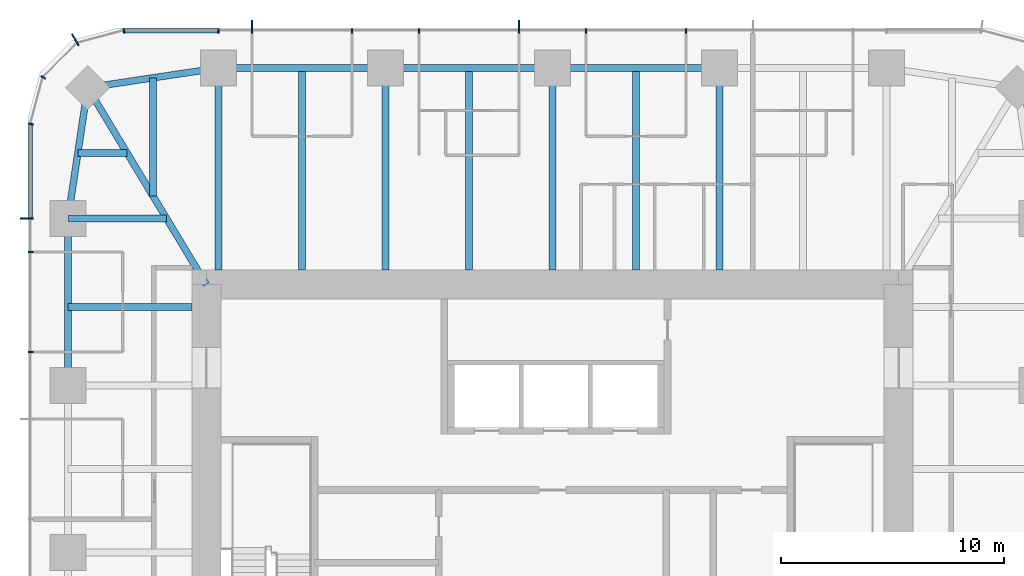
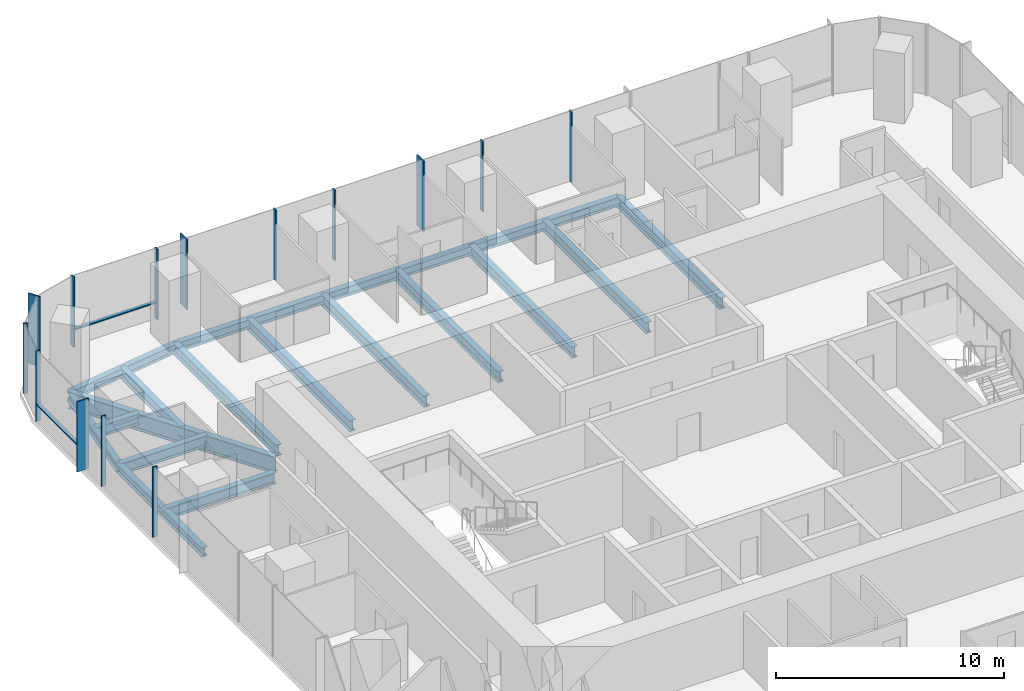
# One storey, part 5 of 12: 18 beams, 16 members, 3 elements without a shape of their own.
"""IFC4 building model written with IfcOpenShell, lengths in metres."""

from ifc_helpers import new_model, si_unit, direction, frame, origin, origin_2d, place, context, subcontext, project, spatial, rectangle, i_section, extrude, material, material_profile, profile_set, type_object, element, aggregate, save


model = new_model("IFC4")

# Units and contexts
model_context = context("Model", 3, precision=1e-05, world=origin(), true_north=direction((0.0, 1.0)))
body_context = subcontext(model_context, "Body", "Model", "MODEL_VIEW")
ifc_project = project(units=[si_unit("LENGTHUNIT", "METRE"), si_unit("AREAUNIT", "SQUARE_METRE"), si_unit("VOLUMEUNIT", "CUBIC_METRE"), si_unit("PLANEANGLEUNIT", "RADIAN"), si_unit("MASSUNIT", "GRAM", prefix="KILO")], contexts=[model_context])

# Site, building, storey
site_placement = place(None, origin())
site = spatial("IfcSite", under=ifc_project, at=site_placement, CompositionType="ELEMENT")
building_placement = place(site_placement, origin())
building = spatial("IfcBuilding", under=site, at=building_placement, Name="Khuree Lantern Residences", CompositionType="ELEMENT")
storey_placement = place(building_placement, frame((0.0, 0.0, 315.75)))
storey = spatial("IfcBuildingStorey", under=building, at=storey_placement, Name="L79", CompositionType="ELEMENT", Elevation=315.75)

# Beams
ifc_material_1 = material(Name="Steel S355", Category="steel")
ifc_material_profile_1 = material_profile(ifc_material_1, i_section(OverallWidth=0.300048828125, OverallDepth=0.590087890625, WebThickness=0.012939453125, FlangeThickness=0.02490234375, FilletRadius=0.027099609375, at=origin_2d()), Name="HE 600 A")
ifc_profile_set_1 = profile_set([ifc_material_profile_1], Name="Steel S355")
beam_type_1 = type_object("IfcBeamType", Name="B-43 SECONDARY BEAM HE 600 A", PredefinedType="BEAM", material=ifc_profile_set_1)
for number, where, z_axis, x_axis, name in (
    (1, (-11.219970703125, 21.699951171875, -0.544921875), (0.0, -1.0, 0.0), (1.0, 0.0, 0.0), "Secondary beam N1"),
    (2, (-3.739990234375, 21.699951171875, -0.544921875), (0.0, -1.0, 0.0), (1.0, 0.0, 0.0), "Secondary beam N2"),
    (3, (3.739990234375, 21.699951171875, -0.544921875), (0.0, -1.0, 0.0), (1.0, 0.0, 0.0), "Secondary beam N3"),
):
    element("IfcBeam", number, at=place(storey_placement, frame(where, z_axis=z_axis, x_axis=x_axis)), inside=storey, type_object=beam_type_1, Name=name, PredefinedType="BEAM", context=body_context, shape_type="SweptSolid", body=[
        extrude(i_section(OverallWidth=0.300048828125, OverallDepth=0.590087890625, WebThickness=0.012939453125, FlangeThickness=0.02490234375, FilletRadius=0.027099609375, at=origin_2d()), origin(), (0.0, 0.0, 1.0), 9.050048828125),
    ])
beam_1_placement = place(storey_placement, frame((-21.699951171875, 11.0, -0.544921875), z_axis=(1.0, 0.0, 0.0), x_axis=(0.0, 1.0, 0.0)))
element("IfcBeam", 4, at=beam_1_placement, inside=storey, type_object=beam_type_1, Name="Secondary beam W5", PredefinedType="BEAM", context=body_context, shape_type="SweptSolid", body=[
    extrude(i_section(OverallWidth=0.300048828125, OverallDepth=0.590087890625, WebThickness=0.012939453125, FlangeThickness=0.02490234375, FilletRadius=0.027099609375, at=origin_2d()), origin(), (0.0, 0.0, 1.0), 5.550048828125),
])
beam_2_placement = place(storey_placement, frame((-21.2607421875, 17.890625, -0.544921875), z_axis=(1.0, 0.0, 0.0), x_axis=(0.0, 1.0, 0.0)))
element("IfcBeam", 5, at=beam_2_placement, inside=storey, type_object=beam_type_1, Name="Secondary beam W6", PredefinedType="BEAM", context=body_context, shape_type="SweptSolid", body=[
    extrude(i_section(OverallWidth=0.300048828125, OverallDepth=0.590087890625, WebThickness=0.012939453125, FlangeThickness=0.02490234375, FilletRadius=0.027099609375, at=origin_2d()), origin(), (0.0, 0.0, 1.0), 2.207275390625),
])
beam_3_placement = place(storey_placement, frame((-17.890625, 21.2607421875, -0.544921875), z_axis=(0.0, -1.0, 0.0), x_axis=(1.0, 0.0, 0.0)))
element("IfcBeam", 6, at=beam_3_placement, inside=storey, type_object=beam_type_1, Name="Secondary beam N6", PredefinedType="BEAM", context=body_context, shape_type="SweptSolid", body=[
    extrude(i_section(OverallWidth=0.300048828125, OverallDepth=0.590087890625, WebThickness=0.012939453125, FlangeThickness=0.02490234375, FilletRadius=0.027099609375, at=origin_2d()), origin(), (0.0, 0.0, 1.0), 5.297607421875),
])
ifc_material_profile_2 = material_profile(ifc_material_1, i_section(OverallWidth=0.300048828125, OverallDepth=0.489990234375, WebThickness=0.011962890625, FlangeThickness=0.02294921875, FilletRadius=0.027099609375, at=origin_2d()), Name="HE 500 A")
ifc_profile_set_2 = profile_set([ifc_material_profile_2], Name="Steel S355")
beam_type_2 = type_object("IfcBeamType", Name="E-43 SPANDREL BEAM HE 500 A", PredefinedType="SPANDREL", material=ifc_profile_set_2)
for number, where, z_axis, x_axis, name in (
    (7, (-14.9599609375, 21.699951171875, -0.4951171875), (1.0, 0.0, 0.0), (0.0, 1.0, 0.0), "Spandrel beam N1"),
    (8, (-7.47998046875, 21.699951171875, -0.4951171875), (1.0, 0.0, 0.0), (0.0, 1.0, 0.0), "Spandrel beam N2"),
    (9, (0.0, 21.699951171875, -0.4951171875), (1.0, 0.0, 0.0), (0.0, 1.0, 0.0), "Spandrel beam N3"),
    (10, (-21.699951171875, 7.47998046875, -0.4951171875), (0.0, 1.0, 0.0), (-1.0, 0.0, 0.0), "Spandrel beam W5"),
):
    element("IfcBeam", number, at=place(storey_placement, frame(where, z_axis=z_axis, x_axis=x_axis)), inside=storey, type_object=beam_type_2, Name=name, PredefinedType="SPANDREL", context=body_context, shape_type="SweptSolid", body=[
        extrude(i_section(OverallWidth=0.300048828125, OverallDepth=0.489990234375, WebThickness=0.011962890625, FlangeThickness=0.02294921875, FilletRadius=0.027099609375, at=origin_2d()), origin(), (0.0, 0.0, 1.0), 7.47998046875),
    ])
for number, where, z_axis, x_axis, name in (
    (11, (-21.699951171875, 14.9599609375, -0.4951171875), (0.148251822985, 0.988949643299, 0.0), (-0.988949643299, 0.148251822985, 0.0), "Spandrel beam W6"),
    (12, (-20.8212890625, 20.8212890625, -0.4951171875), (0.988949643299, 0.148251822985, 0.0), (-0.148251822985, 0.988949643299, 0.0), "Spandrel beam N6"),
):
    element("IfcBeam", number, at=place(storey_placement, frame(where, z_axis=z_axis, x_axis=x_axis)), inside=storey, type_object=beam_type_2, Name=name, PredefinedType="SPANDREL", context=body_context, shape_type="SweptSolid", body=[
        extrude(i_section(OverallWidth=0.300048828125, OverallDepth=0.489990234375, WebThickness=0.011962890625, FlangeThickness=0.02294921875, FilletRadius=0.027099609375, at=origin_2d()), origin(), (0.0, 0.0, 1.0), 5.9267578125),
    ])

# Curtain wall, members
ifc_material_2 = material(Name="Bronze anodised aluminium", Category="aluminium")
curtain_wall_type_1 = type_object("IfcCurtainWallType", Name="CW-T1 TOWER FACE CURTAIN WALL", PredefinedType="USERDEFINED", material=ifc_material_2)
curtain_wall_1_placement = place(storey_placement, origin())
curtain_wall_1 = element("IfcCurtainWall", 13, at=curtain_wall_1_placement, inside=storey, type_object=curtain_wall_type_1, Name="L79 NORTH FACE CURTAIN WALL", ObjectType="Stick-built curtain wall", PredefinedType="USERDEFINED")
ifc_material_profile_3 = material_profile(ifc_material_2, rectangle(XDim=0.06494140625, YDim=0.60009765625, at=origin_2d()), Name="F1 65X600")
ifc_profile_set_3 = profile_set([ifc_material_profile_3], Name="Bronze anodised aluminium")
member_type_1 = type_object("IfcMemberType", Name="F1 BRONZE FIN MULLION TOWER 65X600", PredefinedType="MULLION", material=ifc_profile_set_3)
member_1_placement = place(storey_placement, frame((-1.49609375, 23.550048828125, 0.0), z_axis=(0.0, 0.0, 1.0), x_axis=(-1.0, 0.0, 0.0)))
member_1 = element("IfcMember", 14, at=member_1_placement, type_object=member_type_1, Name="L79 NORTH FACE FIN MULLION 24", PredefinedType="MULLION", context=body_context, shape_type="SweptSolid", body=[
    extrude(rectangle(XDim=0.06494140625, YDim=0.60009765625, at=origin_2d()), origin(), (0.0, 0.0, 1.0), 3.75),
])
member_2_placement = place(storey_placement, frame((-13.464111328125, 23.550048828125, 0.0), z_axis=(0.0, 0.0, 1.0), x_axis=(-1.0, 0.0, 0.0)))
member_2 = element("IfcMember", 15, at=member_2_placement, type_object=member_type_1, Name="L79 NORTH FACE FIN MULLION 27", PredefinedType="MULLION", context=body_context, shape_type="SweptSolid", body=[
    extrude(rectangle(XDim=0.06494140625, YDim=0.60009765625, at=origin_2d()), origin(), (0.0, 0.0, 1.0), 3.75),
])

# Curtain wall, member
curtain_wall_type_2 = type_object("IfcCurtainWallType", Name="CW-T2 TOWER CORNER CURTAIN WALL", PredefinedType="USERDEFINED", material=ifc_material_2)
curtain_wall_2_placement = place(storey_placement, origin())
curtain_wall_2 = element("IfcCurtainWall", 16, at=curtain_wall_2_placement, inside=storey, type_object=curtain_wall_type_2, Name="L79 NORTH-WEST CORNER CURTAIN WALL", ObjectType="Faceted corner curtain wall", PredefinedType="USERDEFINED")
member_3_placement = place(storey_placement, frame((-21.375, 22.96728515625, 0.0), z_axis=(0.0, 0.0, 1.0), x_axis=(-0.866025437565, -0.49999994149, 0.0)))
member_3 = element("IfcMember", 17, at=member_3_placement, type_object=member_type_1, Name="L79 NORTH-WEST CORNER FIN MULLION 30", PredefinedType="MULLION", context=body_context, shape_type="SweptSolid", body=[
    extrude(rectangle(XDim=0.06494140625, YDim=0.60009765625, at=origin_2d()), origin(), (0.0, 0.0, 1.0), 3.75),
])

curtain_wall_3_placement = place(storey_placement, origin())
curtain_wall_3 = element("IfcCurtainWall", 18, at=curtain_wall_3_placement, inside=storey, type_object=curtain_wall_type_1, Name="L79 WEST FACE CURTAIN WALL", ObjectType="Stick-built curtain wall", PredefinedType="USERDEFINED")
member_4_placement = place(storey_placement, frame((-23.550048828125, 14.9599609375, 0.0), z_axis=(0.0, 0.0, 1.0), x_axis=(0.0, -1.0, 0.0)))
member_4 = element("IfcMember", 19, at=member_4_placement, type_object=member_type_1, Name="L79 WEST FACE FIN MULLION 33", PredefinedType="MULLION", context=body_context, shape_type="SweptSolid", body=[
    extrude(rectangle(XDim=0.06494140625, YDim=0.60009765625, at=origin_2d()), origin(), (0.0, 0.0, 1.0), 3.75),
])

# Beams
ifc_material_profile_4 = material_profile(ifc_material_1, i_section(OverallWidth=0.300048828125, OverallDepth=0.60009765625, WebThickness=0.015380859375, FlangeThickness=0.030029296875, FilletRadius=0.027099609375, at=origin_2d()), Name="HE 600 B")
ifc_profile_set_4 = profile_set([ifc_material_profile_4], Name="Steel S355")
beam_type_3 = type_object("IfcBeamType", Name="G-43 GIRDER HE 600 B", PredefinedType="BEAM", material=ifc_profile_set_4)
for number, where, z_axis, x_axis, name in (
    (20, (-14.9599609375, 21.699951171875, -0.550048828125), (0.0, -1.0, 0.0), (1.0, 0.0, 0.0), "Girder N1"),
    (21, (-7.47998046875, 21.699951171875, -0.550048828125), (0.0, -1.0, 0.0), (1.0, 0.0, 0.0), "Girder N2"),
    (22, (0.0, 21.699951171875, -0.550048828125), (0.0, -1.0, 0.0), (1.0, 0.0, 0.0), "Girder N3"),
    (23, (7.47998046875, 21.699951171875, -0.550048828125), (0.0, -1.0, 0.0), (1.0, 0.0, 0.0), "Girder N4"),
):
    element("IfcBeam", number, at=place(storey_placement, frame(where, z_axis=z_axis, x_axis=x_axis)), inside=storey, type_object=beam_type_3, Name=name, PredefinedType="BEAM", context=body_context, shape_type="SweptSolid", body=[
        extrude(i_section(OverallWidth=0.300048828125, OverallDepth=0.60009765625, WebThickness=0.015380859375, FlangeThickness=0.030029296875, FilletRadius=0.027099609375, at=origin_2d()), origin(), (0.0, 0.0, 1.0), 9.050048828125),
    ])
beam_4_placement = place(storey_placement, frame((-21.699951171875, 14.9599609375, -0.550048828125), z_axis=(1.0, 0.0, 0.0), x_axis=(0.0, 1.0, 0.0)))
element("IfcBeam", 24, at=beam_4_placement, inside=storey, type_object=beam_type_3, Name="Girder W5", PredefinedType="BEAM", context=body_context, shape_type="SweptSolid", body=[
    extrude(i_section(OverallWidth=0.300048828125, OverallDepth=0.60009765625, WebThickness=0.015380859375, FlangeThickness=0.030029296875, FilletRadius=0.027099609375, at=origin_2d()), origin(), (0.0, 0.0, 1.0), 4.414306640625),
])
ifc_material_profile_5 = material_profile(ifc_material_1, i_section(OverallWidth=0.300048828125, OverallDepth=0.89990234375, WebThickness=0.0185546875, FlangeThickness=0.034912109375, FilletRadius=0.030029296875, at=origin_2d()), Name="HE 900 B")
ifc_profile_set_5 = profile_set([ifc_material_profile_5], Name="Steel S355")
beam_type_4 = type_object("IfcBeamType", Name="GD-43 CORNER GIRDER HE 900 B", PredefinedType="BEAM", material=ifc_profile_set_5)
beam_5_placement = place(storey_placement, frame((-20.8212890625, 20.8212890625, -0.699951171875), z_axis=(0.516529577604, -0.856269347495, 0.0), x_axis=(0.856269347495, 0.516529577604, 0.0)))
element("IfcBeam", 25, at=beam_5_placement, inside=storey, type_object=beam_type_4, Name="Corner girder NW", PredefinedType="BEAM", context=body_context, shape_type="SweptSolid", body=[
    extrude(i_section(OverallWidth=0.300048828125, OverallDepth=0.89990234375, WebThickness=0.0185546875, FlangeThickness=0.034912109375, FilletRadius=0.030029296875, at=origin_2d()), origin(), (0.0, 0.0, 1.0), 10.302001953125),
])

# Member
ifc_material_profile_6 = material_profile(ifc_material_2, rectangle(XDim=0.06494140625, YDim=0.219970703125, at=origin_2d()), Name="M1 65X220")
ifc_profile_set_6 = profile_set([ifc_material_profile_6], Name="Bronze anodised aluminium")
member_type_2 = type_object("IfcMemberType", Name="M1 BRONZE MULLION TOWER 65X220", PredefinedType="MULLION", material=ifc_profile_set_6)
member_5_placement = place(storey_placement, frame((5.98388671875, 23.360107421875, 0.0), z_axis=(0.0, 0.0, 1.0), x_axis=(-1.0, 0.0, 0.0)))
member_5 = element("IfcMember", 26, at=member_5_placement, type_object=member_type_2, Name="L79 NORTH FACE MULLION 22", PredefinedType="MULLION", context=body_context, shape_type="SweptSolid", body=[
    extrude(rectangle(XDim=0.06494140625, YDim=0.219970703125, at=origin_2d()), origin(), (0.0, 0.0, 1.0), 3.75),
])

member_6_placement = place(storey_placement, frame((1.49609375, 23.360107421875, 0.0), z_axis=(0.0, 0.0, 1.0), x_axis=(-1.0, 0.0, 0.0)))
member_6 = element("IfcMember", 27, at=member_6_placement, type_object=member_type_2, Name="L79 NORTH FACE MULLION 23", PredefinedType="MULLION", context=body_context, shape_type="SweptSolid", body=[
    extrude(rectangle(XDim=0.06494140625, YDim=0.219970703125, at=origin_2d()), origin(), (0.0, 0.0, 1.0), 3.75),
])

member_7_placement = place(storey_placement, frame((-5.98388671875, 23.360107421875, 0.0), z_axis=(0.0, 0.0, 1.0), x_axis=(-1.0, 0.0, 0.0)))
member_7 = element("IfcMember", 28, at=member_7_placement, type_object=member_type_2, Name="L79 NORTH FACE MULLION 25", PredefinedType="MULLION", context=body_context, shape_type="SweptSolid", body=[
    extrude(rectangle(XDim=0.06494140625, YDim=0.219970703125, at=origin_2d()), origin(), (0.0, 0.0, 1.0), 3.75),
])

member_8_placement = place(storey_placement, frame((-8.97607421875, 23.360107421875, 0.0), z_axis=(0.0, 0.0, 1.0), x_axis=(-1.0, 0.0, 0.0)))
member_8 = element("IfcMember", 29, at=member_8_placement, type_object=member_type_2, Name="L79 NORTH FACE MULLION 26", PredefinedType="MULLION", context=body_context, shape_type="SweptSolid", body=[
    extrude(rectangle(XDim=0.06494140625, YDim=0.219970703125, at=origin_2d()), origin(), (0.0, 0.0, 1.0), 3.75),
])

member_9_placement = place(storey_placement, frame((-14.9599609375, 23.360107421875, 0.0), z_axis=(0.0, 0.0, 1.0), x_axis=(-1.0, 0.0, 0.0)))
member_9 = element("IfcMember", 30, at=member_9_placement, type_object=member_type_2, Name="L79 NORTH FACE MULLION 28", PredefinedType="MULLION", context=body_context, shape_type="SweptSolid", body=[
    extrude(rectangle(XDim=0.06494140625, YDim=0.219970703125, at=origin_2d()), origin(), (0.0, 0.0, 1.0), 3.75),
])

member_10_placement = place(storey_placement, frame((-19.195068359375, 23.36181640625, 0.0), z_axis=(0.0, 0.0, 1.0), x_axis=(-0.991444870192, -0.130526125236, 0.0)))
member_10 = element("IfcMember", 31, at=member_10_placement, type_object=member_type_2, Name="L79 NORTH-WEST CORNER MULLION 29", PredefinedType="MULLION", context=body_context, shape_type="SweptSolid", body=[
    extrude(rectangle(XDim=0.06494140625, YDim=0.219970703125, at=origin_2d()), origin(), (0.0, 0.0, 1.0), 3.75),
])

member_11_placement = place(storey_placement, frame((-22.802734375, 21.280029296875, 0.0), z_axis=(0.0, 0.0, 1.0), x_axis=(-0.49999994149, -0.866025437565, 0.0)))
member_11 = element("IfcMember", 32, at=member_11_placement, type_object=member_type_2, Name="L79 NORTH-WEST CORNER MULLION 31", PredefinedType="MULLION", context=body_context, shape_type="SweptSolid", body=[
    extrude(rectangle(XDim=0.06494140625, YDim=0.219970703125, at=origin_2d()), origin(), (0.0, 0.0, 1.0), 3.75),
])

aggregate(curtain_wall_2, [member_10, member_3, member_11])

member_12_placement = place(storey_placement, frame((-23.36181640625, 19.195068359375, 0.0), z_axis=(0.0, 0.0, 1.0), x_axis=(-0.130526125236, -0.991444870192, 0.0)))
member_12 = element("IfcMember", 33, at=member_12_placement, type_object=member_type_2, Name="L79 WEST FACE MULLION 32", PredefinedType="MULLION", context=body_context, shape_type="SweptSolid", body=[
    extrude(rectangle(XDim=0.06494140625, YDim=0.219970703125, at=origin_2d()), origin(), (0.0, 0.0, 1.0), 3.75),
])

member_13_placement = place(storey_placement, frame((-23.360107421875, 13.464111328125, 0.0), z_axis=(0.0, 0.0, 1.0), x_axis=(0.0, -1.0, 0.0)))
member_13 = element("IfcMember", 34, at=member_13_placement, type_object=member_type_2, Name="L79 WEST FACE MULLION 34", PredefinedType="MULLION", context=body_context, shape_type="SweptSolid", body=[
    extrude(rectangle(XDim=0.06494140625, YDim=0.219970703125, at=origin_2d()), origin(), (0.0, 0.0, 1.0), 3.75),
])

member_14_placement = place(storey_placement, frame((-23.360107421875, 8.97607421875, 0.0), z_axis=(0.0, 0.0, 1.0), x_axis=(0.0, -1.0, 0.0)))
member_14 = element("IfcMember", 35, at=member_14_placement, type_object=member_type_2, Name="L79 WEST FACE MULLION 35", PredefinedType="MULLION", context=body_context, shape_type="SweptSolid", body=[
    extrude(rectangle(XDim=0.06494140625, YDim=0.219970703125, at=origin_2d()), origin(), (0.0, 0.0, 1.0), 3.75),
])

ifc_material_profile_7 = material_profile(ifc_material_2, rectangle(XDim=0.179931640625, YDim=0.06494140625, at=origin_2d()), Name="T1 180X65")
ifc_profile_set_7 = profile_set([ifc_material_profile_7], Name="Bronze anodised aluminium")
member_type_3 = type_object("IfcMemberType", Name="TRANSOM T1 TOWER 180X65", PredefinedType="USERDEFINED", material=ifc_profile_set_7)
member_15_placement = place(storey_placement, frame((-14.992431640625, 23.3701171875, 0.89990234375), z_axis=(-1.0, 0.0, 0.0), x_axis=(0.0, -1.0, 0.0)))
member_15 = element("IfcMember", 36, at=member_15_placement, type_object=member_type_3, Name="L79 NORTH FACE TRANSOM 28.1", ObjectType="Transom", PredefinedType="USERDEFINED", context=body_context, shape_type="SweptSolid", body=[
    extrude(rectangle(XDim=0.179931640625, YDim=0.06494140625, at=origin_2d()), origin(), (0.0, 0.0, 1.0), 4.158935546875),
])

aggregate(curtain_wall_1, [member_5, member_6, member_1, member_7, member_8, member_2, member_9, member_15])

member_16_placement = place(storey_placement, frame((-23.3701171875, 19.1513671875, 0.89990234375), z_axis=(0.0, -1.0, 0.0), x_axis=(1.0, 0.0, 0.0)))
member_16 = element("IfcMember", 37, at=member_16_placement, type_object=member_type_3, Name="L79 WEST FACE TRANSOM 32.1", ObjectType="Transom", PredefinedType="USERDEFINED", context=body_context, shape_type="SweptSolid", body=[
    extrude(rectangle(XDim=0.179931640625, YDim=0.06494140625, at=origin_2d()), origin(), (0.0, 0.0, 1.0), 4.158935546875),
])

aggregate(curtain_wall_3, [member_12, member_4, member_13, member_14, member_16])

save(model, "model.ifc")
